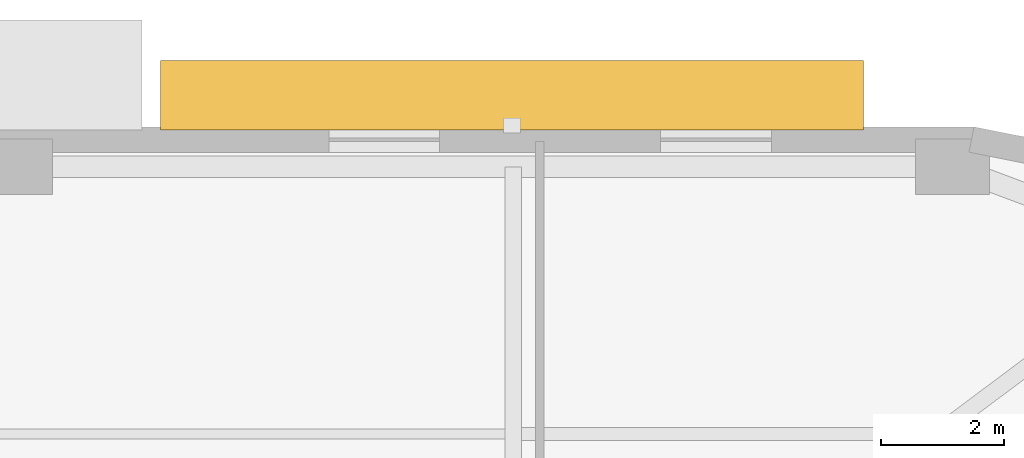
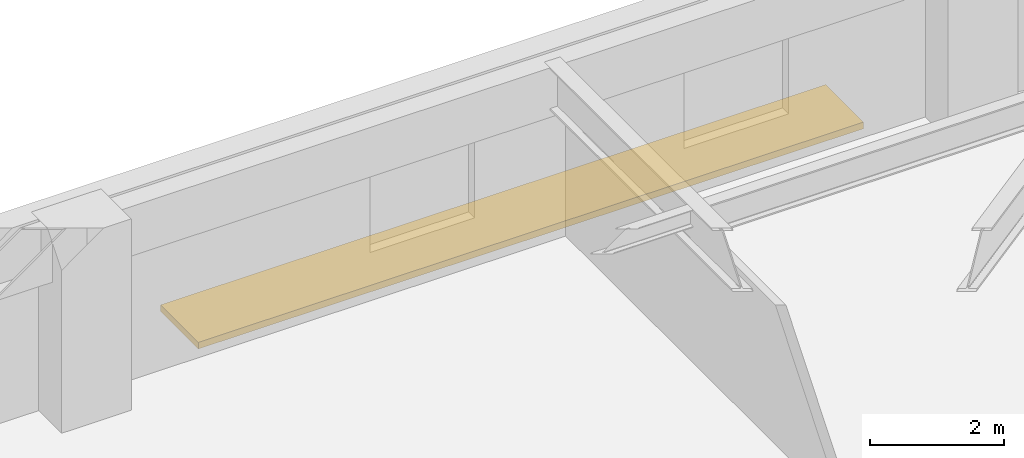
# One storey, part 15 of 15: 1 shading device.
"""IFC4 building model written with IfcOpenShell, lengths in metres."""

from ifc_helpers import new_model, si_unit, direction, frame, origin, origin_2d, place, context, subcontext, project, spatial, rectangle, extrude, material, type_object, element, save


model = new_model("IFC4")

# Units and contexts
model_context = context("Model", 3, precision=1e-05, world=origin(), true_north=direction((0.0, 1.0)))
body_context = subcontext(model_context, "Body", "Model", "MODEL_VIEW")
ifc_project = project(units=[si_unit("LENGTHUNIT", "METRE"), si_unit("AREAUNIT", "SQUARE_METRE"), si_unit("VOLUMEUNIT", "CUBIC_METRE"), si_unit("PLANEANGLEUNIT", "RADIAN"), si_unit("MASSUNIT", "GRAM", prefix="KILO")], contexts=[model_context])

# Site, building, storey
site_placement = place(None, origin())
site = spatial("IfcSite", under=ifc_project, at=site_placement, CompositionType="ELEMENT")
building_placement = place(site_placement, origin())
building = spatial("IfcBuilding", under=site, at=building_placement, Name="Kolvaren Arena Tower", CompositionType="ELEMENT")
storey_placement = place(building_placement, frame((0.0, 0.0, 64.5)))
storey = spatial("IfcBuildingStorey", under=building, at=storey_placement, Name="L13", CompositionType="ELEMENT", Elevation=64.5)

# Shading device
ifc_material = material(Name="Architectural precast GFRC and anodised aluminium sunshade", Category="concrete")
shading_device_type = type_object("IfcShadingDeviceType", Name="SHAD-SINE-A", PredefinedType="USERDEFINED", material=ifc_material)
shading_device_placement = place(storey_placement, frame((60.330078125, 50.01318359375, -0.14013671875), z_axis=(0.0, 0.0, 1.0), x_axis=(1.0, 0.0, 0.0)))
element("IfcShadingDevice", 1, at=shading_device_placement, inside=storey, type_object=shading_device_type, Name="Sinusoidal Slab-Edge Sunshade Louvre (L13)", ObjectType="LOUVRE", PredefinedType="USERDEFINED", context=body_context, shape_type="SweptSolid", body=[
    extrude(rectangle(XDim=11.43994140625, YDim=1.126220703125, at=origin_2d()), origin(), (0.0, 0.0, 1.0), 0.1201171875),
])

save(model, "model.ifc")
